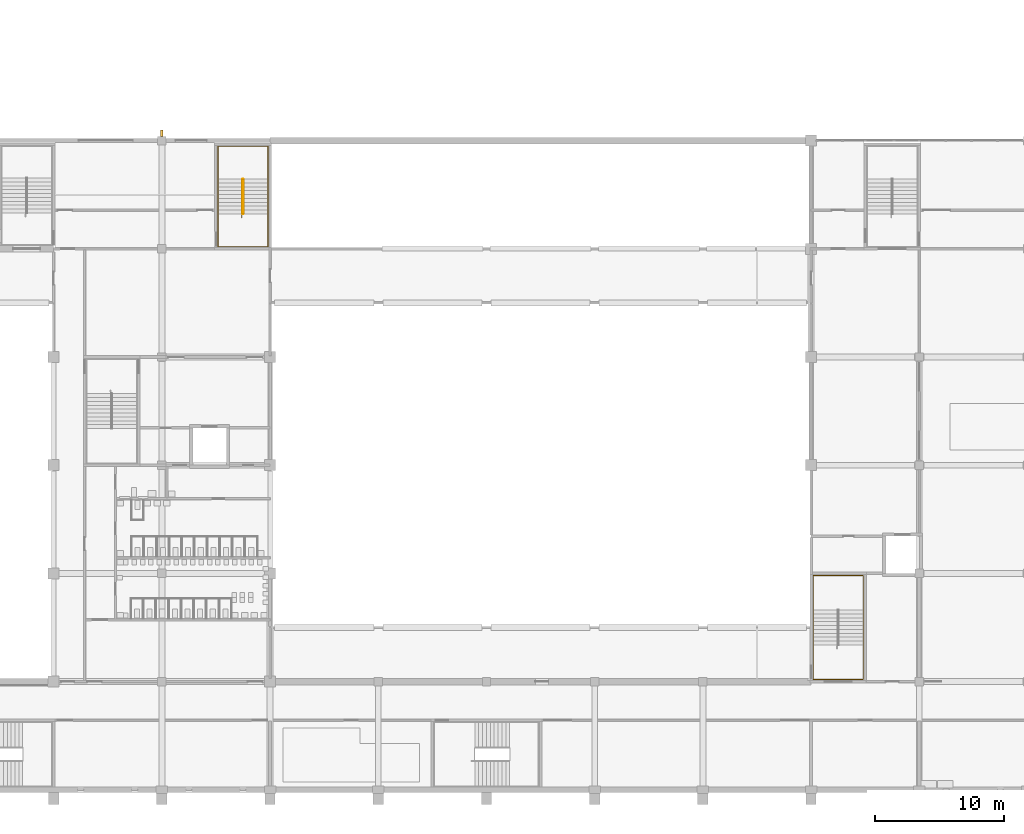
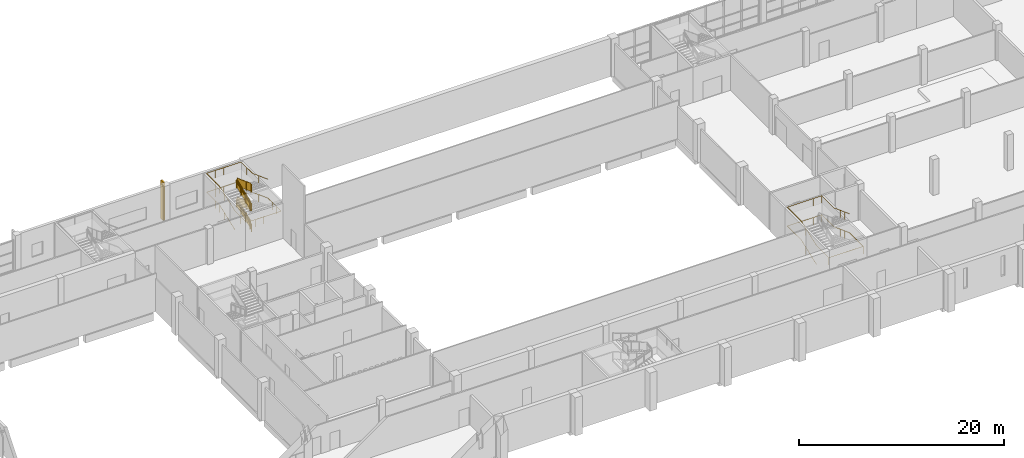
# One storey, part 54 of 64: 7 railings, 1 shading device.
"""IFC4 building model written with IfcOpenShell, lengths in metres."""

import ifcopenshell
import ifcopenshell.guid

model = None  # the IFC model being written
_history = None  # IfcOwnerHistory: only IFC2X3 demands one
_inside = {}  # id of a spatial element -> (the spatial element, [elements in it])
_under = {}  # id of a project, library or spatial element -> (it, [spatial elements below it])
_declared = {}  # id of a project -> (the project, [libraries it declares])
_typed = {}  # id of a type object -> (the type object, [elements of that type])
_made_of = {}  # id of a material, layer set ... -> (it, [elements and type objects made of it])


def new_model(schema):
    """Start an empty IFC model of exactly this schema.

    Asked for "IFC4X3", IfcOpenShell would pick the latest addendum, in which some entities
    have other attributes; the version numbers below select the first issue.
    IFC2X3 requires an IfcOwnerHistory on every rooted entity: one is made here for all.
    """
    global model, _history
    if schema == "IFC4X3":
        model = ifcopenshell.file(schema_version=(4, 3, 0, 0))
    else:
        model = ifcopenshell.file(schema=schema)
    _inside.clear()
    _under.clear()
    _declared.clear()
    _typed.clear()
    _made_of.clear()
    _history = None
    if model.schema == "IFC2X3":
        org = make("IfcOrganization", Name="unknown")
        user = make(
            "IfcPersonAndOrganization",
            ThePerson=make("IfcPerson", FamilyName="unknown"),
            TheOrganization=org,
        )
        app = make(
            "IfcApplication",
            ApplicationDeveloper=org,
            Version="unknown",
            ApplicationFullName="unknown",
            ApplicationIdentifier="unknown",
        )
        _history = make(
            "IfcOwnerHistory",
            OwningUser=user,
            OwningApplication=app,
            ChangeAction="ADDED",
            CreationDate=0,
        )
    return model


def make(cls, **values):
    """One entity of the class cls with the attributes given. An attribute that is None is left unset."""
    return model.create_entity(
        cls, **{name: value for name, value in values.items() if value is not None}
    )


def rooted(cls, **values):
    """An entity with a GlobalId (a new one), such as an element, a storey or a relation."""
    return make(cls, GlobalId=ifcopenshell.guid.new(), OwnerHistory=_history, **values)


def si_unit(unit_type, name, prefix=None):
    """IfcSIUnit, for example si_unit("LENGTHUNIT", "METRE", prefix="MILLI")."""
    return make("IfcSIUnit", UnitType=unit_type, Prefix=prefix, Name=name)


def assignment(units):
    """IfcUnitAssignment: the units of a project."""
    return None if units is None else make("IfcUnitAssignment", Units=units)


def point(xyz):
    """IfcCartesianPoint."""
    return None if xyz is None else make("IfcCartesianPoint", Coordinates=xyz)


def direction(xyz):
    """IfcDirection."""
    return None if xyz is None else make("IfcDirection", DirectionRatios=xyz)


def frame(location, z_axis=None, x_axis=None):
    """IfcAxis2Placement3D, a coordinate frame: its origin and axes. An axis left out is left unset."""
    return make(
        "IfcAxis2Placement3D",
        Location=point(location),
        Axis=direction(z_axis),
        RefDirection=direction(x_axis),
    )


def frame_2d(location, x_axis=None):
    """IfcAxis2Placement2D, a coordinate frame in the plane: its origin and x axis."""
    return make(
        "IfcAxis2Placement2D", Location=point(location), RefDirection=direction(x_axis)
    )


def origin():
    """The frame at (0, 0, 0) with its axes left unset."""
    return frame((0.0, 0.0, 0.0))


def origin_2d():
    """The frame at (0, 0) in the plane with its x axis left unset."""
    return frame_2d((0.0, 0.0))


def place(relative_to, where):
    """IfcLocalPlacement: puts the frame where relative to a parent placement (None: the world)."""
    return make(
        "IfcLocalPlacement", PlacementRelTo=relative_to, RelativePlacement=where
    )


def context(
    kind, dimensions, precision=None, world=None, true_north=None, identifier=None
):
    """IfcGeometricRepresentationContext, for example the 3D "Model" context."""
    return make(
        "IfcGeometricRepresentationContext",
        ContextIdentifier=identifier,
        ContextType=kind,
        CoordinateSpaceDimension=dimensions,
        Precision=precision,
        WorldCoordinateSystem=world,
        TrueNorth=true_north,
    )


def subcontext(parent, identifier, kind, view, scale=None):
    """IfcGeometricRepresentationSubContext, for example "Body" below "Model"."""
    return make(
        "IfcGeometricRepresentationSubContext",
        ContextIdentifier=identifier,
        ContextType=kind,
        ParentContext=parent,
        TargetScale=scale,
        TargetView=view,
    )


def project(units=None, contexts=None):
    """IfcProject with its units and contexts."""
    return rooted(
        "IfcProject",
        Name="project",
        RepresentationContexts=contexts,
        UnitsInContext=assignment(units),
    )


def spatial(cls, under=None, at=None, **own):
    """A site, building, storey or space (cls), placed at a placement, below another one or the project."""
    s = rooted(cls, ObjectPlacement=at, **own)
    if under is not None:
        _under.setdefault(under.id(), (under, []))[1].append(s)
    return s


def polyline(points):
    """IfcPolyline through the points."""
    return make("IfcPolyline", Points=[point(p) for p in points])


def profile(cls, at=None, kind="AREA", **sizes):
    """A parametric profile (cls). Its sizes go by their IFC names, for example OverallWidth=200.0."""
    return make(cls, ProfileType=kind, Position=at, **sizes)


def rectangle(**sizes):
    """IfcRectangleProfileDef."""
    return profile("IfcRectangleProfileDef", **sizes)


def circle(**sizes):
    """IfcCircleProfileDef."""
    return profile("IfcCircleProfileDef", **sizes)


def outline(outer, holes=None, kind="AREA"):
    """IfcArbitraryClosedProfileDef: a profile drawn as a closed curve; with holes, ...WithVoids."""
    if holes is None:
        return make("IfcArbitraryClosedProfileDef", ProfileType=kind, OuterCurve=outer)
    return make(
        "IfcArbitraryProfileDefWithVoids",
        ProfileType=kind,
        OuterCurve=outer,
        InnerCurves=holes,
    )


def extrude(swept, where, along, depth):
    """IfcExtrudedAreaSolid: the profile swept, set in the frame where, extruded along a direction by depth."""
    return make(
        "IfcExtrudedAreaSolid",
        SweptArea=swept,
        Position=where,
        ExtrudedDirection=direction(along),
        Depth=depth,
    )


def shape(context_of_items, identifier, shape_type, items):
    """IfcShapeRepresentation: the items that make up one representation, for example the "Body"."""
    return make(
        "IfcShapeRepresentation",
        ContextOfItems=context_of_items,
        RepresentationIdentifier=identifier,
        RepresentationType=shape_type,
        Items=items,
    )


def material(Name=None, Category=None):
    """IfcMaterial."""
    return make("IfcMaterial", Name=Name, Category=Category)


def material_profile(
    of_material, cross_section, Name=None, Category=None, Priority=None
):
    """IfcMaterialProfile: a cross section and its material."""
    return make(
        "IfcMaterialProfile",
        Name=Name,
        Material=of_material,
        Profile=cross_section,
        Priority=Priority,
        Category=Category,
    )


def profile_set(profiles, Name=None, composite=None):
    """IfcMaterialProfileSet."""
    return make(
        "IfcMaterialProfileSet",
        Name=Name,
        MaterialProfiles=profiles,
        CompositeProfile=composite,
    )


def made_of(thing, what):
    """Note that an element or type object is made of a material, layer set ...; save() writes the relation."""
    if what is not None:
        _made_of.setdefault(what.id(), (what, []))[1].append(thing)
    return thing


def type_object(cls, material=None, **own):
    """A type object (cls), such as IfcWallType, which elements share."""
    return made_of(rooted(cls, **own), material)


def element(
    cls,
    number,
    at=None,
    inside=None,
    cuts=None,
    type_object=None,
    material=None,
    context=None,
    identifier="Body",
    shape_type=None,
    held_by="IfcProductDefinitionShape",
    body=None,
    shapes=None,
    **own,
):
    """One element of the class cls, such as IfcWall. Its Tag is "e" and its number.

    at: its placement. inside: the storey or other place that contains it. cuts: it is an
    opening in that element (IfcRelVoidsElement). A single representation is given by context,
    identifier, shape_type and body (its items); several are given by shapes. held_by: the class
    of the entity that holds the representations. save() writes the other relations.
    """
    e = rooted(cls, Tag="e%d" % number, ObjectPlacement=at, **own)
    if body is not None:
        shapes = [shape(context, identifier, shape_type, body)]
    if shapes is not None:
        e.Representation = make(held_by, Representations=shapes)
    if inside is not None:
        _inside.setdefault(inside.id(), (inside, []))[1].append(e)
    if cuts is not None:
        rooted(
            "IfcRelVoidsElement", RelatingBuildingElement=cuts, RelatedOpeningElement=e
        )
    if type_object is not None:
        _typed.setdefault(type_object.id(), (type_object, []))[1].append(e)
    return made_of(e, material)


def aggregate(whole, parts):
    """IfcRelAggregates: a whole, such as a stair, and the parts it consists of."""
    return rooted("IfcRelAggregates", RelatingObject=whole, RelatedObjects=parts)


def save(model, path):
    """Write the relations noted so far, then the file.

    IfcRelAggregates (storeys below a building ...), IfcRelContainedInSpatialStructure (elements
    in a storey), IfcRelDefinesByType, IfcRelAssociatesMaterial and IfcRelDeclares: one each for
    every whole, place, type object, material and project.
    """
    for whole, parts in _under.values():
        aggregate(whole, parts)
    for where, things in _inside.values():
        rooted(
            "IfcRelContainedInSpatialStructure",
            RelatedElements=things,
            RelatingStructure=where,
        )
    for kind, things in _typed.values():
        rooted("IfcRelDefinesByType", RelatedObjects=things, RelatingType=kind)
    for what, things in _made_of.values():
        rooted("IfcRelAssociatesMaterial", RelatedObjects=things, RelatingMaterial=what)
    for by, libraries in _declared.values():
        rooted("IfcRelDeclares", RelatingContext=by, RelatedDefinitions=libraries)
    model.write(path)


model = new_model("IFC4")

# Units and contexts
model_context = context("Model", 3, precision=1e-05, world=origin(), true_north=direction((0.0, 1.0)))
body_context = subcontext(model_context, "Body", "Model", "MODEL_VIEW")
ifc_project = project(units=[si_unit("LENGTHUNIT", "METRE"), si_unit("AREAUNIT", "SQUARE_METRE"), si_unit("VOLUMEUNIT", "CUBIC_METRE"), si_unit("PLANEANGLEUNIT", "RADIAN"), si_unit("MASSUNIT", "GRAM", prefix="KILO")], contexts=[model_context])

# Site, building, storey
site_placement = place(None, origin())
site = spatial("IfcSite", under=ifc_project, at=site_placement, CompositionType="ELEMENT")
building_placement = place(site_placement, origin())
building = spatial("IfcBuilding", under=site, at=building_placement, Name="Rulbaag Community and Learning Centre", CompositionType="ELEMENT")
storey_placement = place(building_placement, frame((0.0, 0.0, 5.39990234375)))
storey = spatial("IfcBuildingStorey", under=building, at=storey_placement, Name="L01", CompositionType="ELEMENT", Elevation=5.39990234375)

# Shading device
ifc_material_1 = material(Name="Concrete M40", Category="concrete")
ifc_material_profile = material_profile(ifc_material_1, rectangle(XDim=0.199951171875, YDim=0.5, at=origin_2d()), Name="PC 200x500")
ifc_profile_set = profile_set([ifc_material_profile], Name="Concrete M40")
shading_device_type = type_object("IfcShadingDeviceType", Name="FIN-D", PredefinedType="JALOUSIE", material=ifc_profile_set)
shading_device_placement = place(storey_placement, frame((33.60009765625, 50.97509765625, -0.2998046875), z_axis=(0.0, 0.0, 1.0), x_axis=(1.0, 0.0, 0.0)))
element("IfcShadingDevice", 1, at=shading_device_placement, inside=storey, type_object=shading_device_type, Name="Precast fin", PredefinedType="JALOUSIE", context=body_context, shape_type="SweptSolid", body=[
    extrude(rectangle(XDim=0.199951171875, YDim=0.5, at=origin_2d()), origin(), (0.0, 0.0, 1.0), 4.5498046875),
])

# Railings
ifc_material_2 = material(Name="Galvanised mild steel", Category="steel")
railing_type_1 = type_object("IfcRailingType", Name="GR-1100 GUARD 1100", PredefinedType="GUARDRAIL", material=ifc_material_2)
railing_1_placement = place(storey_placement, frame((39.8798828125, 44.71240234375, 0.112548828125)))
element("IfcRailing", 2, at=railing_1_placement, inside=storey, type_object=railing_type_1, Name="Guard SH5 L01 G", PredefinedType="GUARDRAIL", context=body_context, shape_type="SweptSolid", body=[
    extrude(circle(Radius=0.02490234375, at=origin_2d()), frame((0.0, 0.0, 1.0751953125), z_axis=(0.0, 0.936343093598, 0.351086329941), x_axis=(-1.0, 0.0, 0.0)), (0.0, 0.0, 1.0), 2.8837890625),
    extrude(circle(Radius=0.02001953125, at=origin_2d()), origin(), (0.0, 0.0, 1.0), 1.050048828125),
    extrude(circle(Radius=0.02001953125, at=origin_2d()), frame((0.0, 0.900146484375, 0.33740234375)), (0.0, 0.0, 1.0), 1.050048828125),
    extrude(circle(Radius=0.02001953125, at=origin_2d()), frame((0.0, 1.800048828125, 0.675048828125)), (0.0, 0.0, 1.0), 1.050048828125),
    extrude(circle(Radius=0.02001953125, at=origin_2d()), frame((0.0, 2.7001953125, 1.012451171875)), (0.0, 0.0, 1.0), 1.050048828125),
    extrude(outline(polyline([(0.0, 0.0), (2.7001953125, 1.012451171875), (2.7001953125, 1.96240234375), (0.0, 0.949951171875), (0.0, 0.0)])), frame((-0.0048828125, 0.0, 0.10009765625), z_axis=(1.0, 0.0, 0.0), x_axis=(0.0, 1.0, 0.0)), (0.0, 0.0, 1.0), 0.010009765625),
])
railing_2_placement = place(storey_placement, frame((39.919921875, 47.41259765625, 1.237548828125)))
element("IfcRailing", 3, at=railing_2_placement, inside=storey, type_object=railing_type_1, Name="Guard SH5 L01 G2", PredefinedType="GUARDRAIL", context=body_context, shape_type="SweptSolid", body=[
    extrude(circle(Radius=0.02490234375, at=origin_2d()), frame((0.0, 0.0, 1.0751953125), z_axis=(0.0, -0.936343093598, 0.351086329941), x_axis=(1.0, 0.0, 0.0)), (0.0, 0.0, 1.0), 2.8837890625),
    extrude(circle(Radius=0.02001953125, at=origin_2d()), origin(), (0.0, 0.0, 1.0), 1.050048828125),
    extrude(circle(Radius=0.02001953125, at=origin_2d()), frame((0.0, -0.900146484375, 0.33740234375)), (0.0, 0.0, 1.0), 1.050048828125),
    extrude(circle(Radius=0.02001953125, at=origin_2d()), frame((0.0, -1.800048828125, 0.675048828125)), (0.0, 0.0, 1.0), 1.050048828125),
    extrude(circle(Radius=0.02001953125, at=origin_2d()), frame((0.0, -2.7001953125, 1.012451171875)), (0.0, 0.0, 1.0), 1.050048828125),
    extrude(outline(polyline([(0.0, 0.0), (2.7001953125, 1.012451171875), (2.7001953125, 1.96240234375), (0.0, 0.949951171875), (0.0, 0.0)])), frame((0.0048828125, 0.0, 0.10009765625), z_axis=(-1.0, 0.0, 0.0), x_axis=(0.0, -1.0, 0.0)), (0.0, 0.0, 1.0), 0.010009765625),
])
railing_3_placement = place(storey_placement, frame((39.8798828125, 44.71240234375, 2.362548828125)))
element("IfcRailing", 4, at=railing_3_placement, inside=storey, type_object=railing_type_1, Name="Guard SH5 L01 G3", PredefinedType="GUARDRAIL", context=body_context, shape_type="SweptSolid", body=[
    extrude(circle(Radius=0.02490234375, at=origin_2d()), frame((0.0, 0.0, 1.0751953125), z_axis=(0.0, 0.936343093598, 0.351086329941), x_axis=(-1.0, 0.0, 0.0)), (0.0, 0.0, 1.0), 2.8837890625),
    extrude(circle(Radius=0.02001953125, at=origin_2d()), origin(), (0.0, 0.0, 1.0), 1.050048828125),
    extrude(circle(Radius=0.02001953125, at=origin_2d()), frame((0.0, 0.900146484375, 0.33740234375)), (0.0, 0.0, 1.0), 1.050048828125),
    extrude(circle(Radius=0.02001953125, at=origin_2d()), frame((0.0, 1.800048828125, 0.675048828125)), (0.0, 0.0, 1.0), 1.050048828125),
    extrude(circle(Radius=0.02001953125, at=origin_2d()), frame((0.0, 2.7001953125, 1.012451171875)), (0.0, 0.0, 1.0), 1.050048828125),
    extrude(outline(polyline([(0.0, 0.0), (2.7001953125, 1.012451171875), (2.7001953125, 1.96240234375), (0.0, 0.949951171875), (0.0, 0.0)])), frame((-0.0048828125, 0.0, 0.10009765625), z_axis=(1.0, 0.0, 0.0), x_axis=(0.0, 1.0, 0.0)), (0.0, 0.0, 1.0), 0.010009765625),
])
railing_4_placement = place(storey_placement, frame((39.919921875, 47.41259765625, 3.487548828125)))
element("IfcRailing", 5, at=railing_4_placement, inside=storey, type_object=railing_type_1, Name="Guard SH5 L01 G4", PredefinedType="GUARDRAIL", context=body_context, shape_type="SweptSolid", body=[
    extrude(circle(Radius=0.02490234375, at=origin_2d()), frame((0.0, 0.0, 1.0751953125), z_axis=(0.0, -0.936343093598, 0.351086329941), x_axis=(1.0, 0.0, 0.0)), (0.0, 0.0, 1.0), 2.8837890625),
    extrude(circle(Radius=0.02001953125, at=origin_2d()), origin(), (0.0, 0.0, 1.0), 1.050048828125),
    extrude(circle(Radius=0.02001953125, at=origin_2d()), frame((0.0, -0.900146484375, 0.33740234375)), (0.0, 0.0, 1.0), 1.050048828125),
    extrude(circle(Radius=0.02001953125, at=origin_2d()), frame((0.0, -1.800048828125, 0.675048828125)), (0.0, 0.0, 1.0), 1.050048828125),
    extrude(circle(Radius=0.02001953125, at=origin_2d()), frame((0.0, -2.7001953125, 1.012451171875)), (0.0, 0.0, 1.0), 1.050048828125),
    extrude(outline(polyline([(0.0, 0.0), (2.7001953125, 1.012451171875), (2.7001953125, 1.96240234375), (0.0, 0.949951171875), (0.0, 0.0)])), frame((0.0048828125, 0.0, 0.10009765625), z_axis=(-1.0, 0.0, 0.0), x_axis=(0.0, -1.0, 0.0)), (0.0, 0.0, 1.0), 0.010009765625),
])
ifc_material_3 = material(Name="Stainless steel grade 316", Category="steel")
railing_type_2 = type_object("IfcRailingType", Name="HR-900 HANDRAIL 900", PredefinedType="HANDRAIL", material=ifc_material_3)
railing_5_placement = place(storey_placement, frame((84.159912109375, 10.949951171875, 0.0)))
element("IfcRailing", 6, at=railing_5_placement, inside=storey, type_object=railing_type_2, Name="Handrail SH2 L01 O", PredefinedType="HANDRAIL", context=body_context, shape_type="SweptSolid", body=[
    extrude(circle(Radius=0.024169921875, at=origin_2d()), frame((0.0, 0.0, 0.875732421875), z_axis=(0.0, 0.936297865471, 0.351206929196), x_axis=(-1.0, 0.0, 0.0)), (0.0, 0.0, 1.0), 0.320556640625),
    extrude(circle(Radius=0.024169921875, at=origin_2d()), frame((0.0, 0.300048828125, 0.98828125), z_axis=(0.0, 0.93633265699, 0.351114162993), x_axis=(-1.0, 0.0, 0.0)), (0.0, 0.0, 1.0), 2.883544921875),
    extrude(circle(Radius=0.024169921875, at=origin_2d()), frame((0.0, 3.0, 2.000732421875), z_axis=(0.0, 1.0, 0.0), x_axis=(-1.0, 0.0, 0.0)), (0.0, 0.0, 1.0), 2.68994140625),
    extrude(circle(Radius=0.024169921875, at=origin_2d()), frame((0.0, 5.68994140625, 2.000732421875), z_axis=(1.0, 0.0, 0.0), x_axis=(0.0, 1.0, 0.0)), (0.0, 0.0, 1.0), 3.880126953125),
    extrude(circle(Radius=0.024169921875, at=origin_2d()), frame((3.880126953125, 5.68994140625, 2.000732421875), z_axis=(0.0, -1.0, 0.0), x_axis=(1.0, 0.0, 0.0)), (0.0, 0.0, 1.0), 2.389892578125),
    extrude(circle(Radius=0.024169921875, at=origin_2d()), frame((3.880126953125, 3.300048828125, 2.000732421875), z_axis=(0.0, -0.936297865471, 0.351206929196), x_axis=(1.0, 0.0, 0.0)), (0.0, 0.0, 1.0), 0.320556640625),
    extrude(circle(Radius=0.024169921875, at=origin_2d()), frame((3.880126953125, 3.0, 2.11328125), z_axis=(0.0, -0.93633265699, 0.351114162993), x_axis=(1.0, 0.0, 0.0)), (0.0, 0.0, 1.0), 2.883544921875),
    extrude(circle(Radius=0.024169921875, at=origin_2d()), frame((3.880126953125, 0.300048828125, 3.125732421875), z_axis=(0.0, -1.0, 0.0), x_axis=(1.0, 0.0, 0.0)), (0.0, 0.0, 1.0), 2.68994140625),
    extrude(circle(Radius=0.024169921875, at=origin_2d()), frame((3.880126953125, -2.389892578125, 3.125732421875), z_axis=(-1.0, 0.0, 0.0), x_axis=(0.0, -1.0, 0.0)), (0.0, 0.0, 1.0), 3.880126953125),
    extrude(circle(Radius=0.024169921875, at=origin_2d()), frame((0.0, -2.389892578125, 3.125732421875), z_axis=(0.0, 1.0, 0.0), x_axis=(-1.0, 0.0, 0.0)), (0.0, 0.0, 1.0), 2.389892578125),
    extrude(circle(Radius=0.024169921875, at=origin_2d()), frame((0.0, 0.0, 3.125732421875), z_axis=(0.0, 0.936297865471, 0.351206929196), x_axis=(-1.0, 0.0, 0.0)), (0.0, 0.0, 1.0), 0.320556640625),
    extrude(circle(Radius=0.024169921875, at=origin_2d()), frame((0.0, 0.300048828125, 3.23828125), z_axis=(0.0, 0.93633265699, 0.351114162993), x_axis=(-1.0, 0.0, 0.0)), (0.0, 0.0, 1.0), 2.883544921875),
    extrude(circle(Radius=0.024169921875, at=origin_2d()), frame((0.0, 3.0, 4.250732421875), z_axis=(0.0, 1.0, 0.0), x_axis=(-1.0, 0.0, 0.0)), (0.0, 0.0, 1.0), 2.68994140625),
    extrude(circle(Radius=0.024169921875, at=origin_2d()), frame((0.0, 5.68994140625, 4.250732421875), z_axis=(1.0, 0.0, 0.0), x_axis=(0.0, 1.0, 0.0)), (0.0, 0.0, 1.0), 3.880126953125),
    extrude(circle(Radius=0.024169921875, at=origin_2d()), frame((3.880126953125, 5.68994140625, 4.250732421875), z_axis=(0.0, -1.0, 0.0), x_axis=(1.0, 0.0, 0.0)), (0.0, 0.0, 1.0), 2.389892578125),
    extrude(circle(Radius=0.024169921875, at=origin_2d()), frame((3.880126953125, 3.300048828125, 4.250732421875), z_axis=(0.0, -0.936297865471, 0.351206929196), x_axis=(1.0, 0.0, 0.0)), (0.0, 0.0, 1.0), 0.320556640625),
    extrude(circle(Radius=0.024169921875, at=origin_2d()), frame((3.880126953125, 3.0, 4.36328125), z_axis=(0.0, -0.93633265699, 0.351114162993), x_axis=(1.0, 0.0, 0.0)), (0.0, 0.0, 1.0), 2.883544921875),
    extrude(circle(Radius=0.008056640625, at=origin_2d()), origin(), (0.0, 0.0, 1.0), 0.8515625),
    extrude(circle(Radius=0.008056640625, at=origin_2d()), frame((0.0, 0.300048828125, 0.112548828125)), (0.0, 0.0, 1.0), 0.8515625),
    extrude(circle(Radius=0.008056640625, at=origin_2d()), frame((0.0, 1.199951171875, 0.449951171875)), (0.0, 0.0, 1.0), 0.8515625),
    extrude(circle(Radius=0.008056640625, at=origin_2d()), frame((0.0, 2.10009765625, 0.78759765625)), (0.0, 0.0, 1.0), 0.8515625),
    extrude(circle(Radius=0.008056640625, at=origin_2d()), frame((0.0, 3.0, 1.125)), (0.0, 0.0, 1.0), 0.8515625),
    extrude(circle(Radius=0.008056640625, at=origin_2d()), frame((0.0, 3.896728515625, 1.125)), (0.0, 0.0, 1.0), 0.8515625),
    extrude(circle(Radius=0.008056640625, at=origin_2d()), frame((0.0, 4.793212890625, 1.125)), (0.0, 0.0, 1.0), 0.8515625),
    extrude(circle(Radius=0.008056640625, at=origin_2d()), frame((0.0, 5.68994140625, 1.125)), (0.0, 0.0, 1.0), 0.8515625),
    extrude(circle(Radius=0.008056640625, at=origin_2d()), frame((0.969970703125, 5.68994140625, 1.125)), (0.0, 0.0, 1.0), 0.8515625),
    extrude(circle(Radius=0.008056640625, at=origin_2d()), frame((1.93994140625, 5.68994140625, 1.125)), (0.0, 0.0, 1.0), 0.8515625),
    extrude(circle(Radius=0.008056640625, at=origin_2d()), frame((2.91015625, 5.68994140625, 1.125)), (0.0, 0.0, 1.0), 0.8515625),
    extrude(circle(Radius=0.008056640625, at=origin_2d()), frame((3.880126953125, 5.68994140625, 1.125)), (0.0, 0.0, 1.0), 0.8515625),
    extrude(circle(Radius=0.008056640625, at=origin_2d()), frame((3.880126953125, 4.4951171875, 1.125)), (0.0, 0.0, 1.0), 0.8515625),
    extrude(circle(Radius=0.008056640625, at=origin_2d()), frame((3.880126953125, 3.300048828125, 1.125)), (0.0, 0.0, 1.0), 0.8515625),
    extrude(circle(Radius=0.008056640625, at=origin_2d()), frame((3.880126953125, 3.0, 1.237548828125)), (0.0, 0.0, 1.0), 0.8515625),
    extrude(circle(Radius=0.008056640625, at=origin_2d()), frame((3.880126953125, 2.10009765625, 1.574951171875)), (0.0, 0.0, 1.0), 0.8515625),
    extrude(circle(Radius=0.008056640625, at=origin_2d()), frame((3.880126953125, 1.199951171875, 1.91259765625)), (0.0, 0.0, 1.0), 0.8515625),
    extrude(circle(Radius=0.008056640625, at=origin_2d()), frame((3.880126953125, 0.300048828125, 2.25)), (0.0, 0.0, 1.0), 0.8515625),
    extrude(circle(Radius=0.008056640625, at=origin_2d()), frame((3.880126953125, -0.5966796875, 2.25)), (0.0, 0.0, 1.0), 0.8515625),
    extrude(circle(Radius=0.008056640625, at=origin_2d()), frame((3.880126953125, -1.4931640625, 2.25)), (0.0, 0.0, 1.0), 0.8515625),
    extrude(circle(Radius=0.008056640625, at=origin_2d()), frame((3.880126953125, -2.389892578125, 2.25)), (0.0, 0.0, 1.0), 0.8515625),
    extrude(circle(Radius=0.008056640625, at=origin_2d()), frame((2.91015625, -2.389892578125, 2.25)), (0.0, 0.0, 1.0), 0.8515625),
    extrude(circle(Radius=0.008056640625, at=origin_2d()), frame((1.93994140625, -2.389892578125, 2.25)), (0.0, 0.0, 1.0), 0.8515625),
    extrude(circle(Radius=0.008056640625, at=origin_2d()), frame((0.969970703125, -2.389892578125, 2.25)), (0.0, 0.0, 1.0), 0.8515625),
    extrude(circle(Radius=0.008056640625, at=origin_2d()), frame((0.0, -2.389892578125, 2.25)), (0.0, 0.0, 1.0), 0.8515625),
    extrude(circle(Radius=0.008056640625, at=origin_2d()), frame((0.0, -1.19482421875, 2.25)), (0.0, 0.0, 1.0), 0.8515625),
    extrude(circle(Radius=0.008056640625, at=origin_2d()), frame((0.0, 0.0, 2.25)), (0.0, 0.0, 1.0), 0.8515625),
    extrude(circle(Radius=0.008056640625, at=origin_2d()), frame((0.0, 0.300048828125, 2.362548828125)), (0.0, 0.0, 1.0), 0.8515625),
    extrude(circle(Radius=0.008056640625, at=origin_2d()), frame((0.0, 1.199951171875, 2.699951171875)), (0.0, 0.0, 1.0), 0.8515625),
    extrude(circle(Radius=0.008056640625, at=origin_2d()), frame((0.0, 2.10009765625, 3.03759765625)), (0.0, 0.0, 1.0), 0.8515625),
    extrude(circle(Radius=0.008056640625, at=origin_2d()), frame((0.0, 3.0, 3.375)), (0.0, 0.0, 1.0), 0.8515625),
    extrude(circle(Radius=0.008056640625, at=origin_2d()), frame((0.0, 3.896728515625, 3.375)), (0.0, 0.0, 1.0), 0.8515625),
    extrude(circle(Radius=0.008056640625, at=origin_2d()), frame((0.0, 4.793212890625, 3.375)), (0.0, 0.0, 1.0), 0.8515625),
    extrude(circle(Radius=0.008056640625, at=origin_2d()), frame((0.0, 5.68994140625, 3.375)), (0.0, 0.0, 1.0), 0.8515625),
    extrude(circle(Radius=0.008056640625, at=origin_2d()), frame((0.969970703125, 5.68994140625, 3.375)), (0.0, 0.0, 1.0), 0.8515625),
    extrude(circle(Radius=0.008056640625, at=origin_2d()), frame((1.93994140625, 5.68994140625, 3.375)), (0.0, 0.0, 1.0), 0.8515625),
    extrude(circle(Radius=0.008056640625, at=origin_2d()), frame((2.91015625, 5.68994140625, 3.375)), (0.0, 0.0, 1.0), 0.8515625),
    extrude(circle(Radius=0.008056640625, at=origin_2d()), frame((3.880126953125, 5.68994140625, 3.375)), (0.0, 0.0, 1.0), 0.8515625),
    extrude(circle(Radius=0.008056640625, at=origin_2d()), frame((3.880126953125, 4.4951171875, 3.375)), (0.0, 0.0, 1.0), 0.8515625),
    extrude(circle(Radius=0.008056640625, at=origin_2d()), frame((3.880126953125, 3.300048828125, 3.375)), (0.0, 0.0, 1.0), 0.8515625),
    extrude(circle(Radius=0.008056640625, at=origin_2d()), frame((3.880126953125, 3.0, 3.487548828125)), (0.0, 0.0, 1.0), 0.8515625),
    extrude(circle(Radius=0.008056640625, at=origin_2d()), frame((3.880126953125, 2.10009765625, 3.824951171875)), (0.0, 0.0, 1.0), 0.8515625),
    extrude(circle(Radius=0.008056640625, at=origin_2d()), frame((3.880126953125, 1.199951171875, 4.16259765625)), (0.0, 0.0, 1.0), 0.8515625),
    extrude(circle(Radius=0.008056640625, at=origin_2d()), frame((3.880126953125, 0.300048828125, 4.5)), (0.0, 0.0, 1.0), 0.8515625),
])
railing_6_placement = place(storey_placement, frame((37.9599609375, 44.41259765625, 0.0)))
element("IfcRailing", 7, at=railing_6_placement, inside=storey, type_object=railing_type_2, Name="Handrail SH5 L01 O", PredefinedType="HANDRAIL", context=body_context, shape_type="SweptSolid", body=[
    extrude(circle(Radius=0.024169921875, at=origin_2d()), frame((0.0, 0.0, 0.875732421875), z_axis=(0.0, 0.936203795034, 0.351457613608), x_axis=(-1.0, 0.0, 0.0)), (0.0, 0.0, 1.0), 0.3203125),
    extrude(circle(Radius=0.024169921875, at=origin_2d()), frame((0.0, 0.2998046875, 0.98828125), z_axis=(0.0, 0.936343093598, 0.351086329941), x_axis=(-1.0, 0.0, 0.0)), (0.0, 0.0, 1.0), 2.8837890625),
    extrude(circle(Radius=0.024169921875, at=origin_2d()), frame((0.0, 3.0, 2.000732421875), z_axis=(0.0, 1.0, 0.0), x_axis=(-1.0, 0.0, 0.0)), (0.0, 0.0, 1.0), 2.552490234375),
    extrude(circle(Radius=0.024169921875, at=origin_2d()), frame((0.0, 5.552490234375, 2.000732421875), z_axis=(1.0, 0.0, 0.0), x_axis=(0.0, 1.0, 0.0)), (0.0, 0.0, 1.0), 3.880126953125),
    extrude(circle(Radius=0.024169921875, at=origin_2d()), frame((3.880126953125, 5.552490234375, 2.000732421875), z_axis=(0.0, -1.0, 0.0), x_axis=(1.0, 0.0, 0.0)), (0.0, 0.0, 1.0), 2.252685546875),
    extrude(circle(Radius=0.024169921875, at=origin_2d()), frame((3.880126953125, 3.2998046875, 2.000732421875), z_axis=(0.0, -0.936203795034, 0.351457613608), x_axis=(1.0, 0.0, 0.0)), (0.0, 0.0, 1.0), 0.3203125),
    extrude(circle(Radius=0.024169921875, at=origin_2d()), frame((3.880126953125, 3.0, 2.11328125), z_axis=(0.0, -0.936343093598, 0.351086329941), x_axis=(1.0, 0.0, 0.0)), (0.0, 0.0, 1.0), 2.8837890625),
    extrude(circle(Radius=0.024169921875, at=origin_2d()), frame((3.880126953125, 0.2998046875, 3.125732421875), z_axis=(0.0, -1.0, 0.0), x_axis=(1.0, 0.0, 0.0)), (0.0, 0.0, 1.0), 2.552490234375),
    extrude(circle(Radius=0.024169921875, at=origin_2d()), frame((3.880126953125, -2.252685546875, 3.125732421875), z_axis=(-1.0, 0.0, 0.0), x_axis=(0.0, -1.0, 0.0)), (0.0, 0.0, 1.0), 3.880126953125),
    extrude(circle(Radius=0.024169921875, at=origin_2d()), frame((0.0, -2.252685546875, 3.125732421875), z_axis=(0.0, 1.0, 0.0), x_axis=(-1.0, 0.0, 0.0)), (0.0, 0.0, 1.0), 2.252685546875),
    extrude(circle(Radius=0.024169921875, at=origin_2d()), frame((0.0, 0.0, 3.125732421875), z_axis=(0.0, 0.936203795034, 0.351457613608), x_axis=(-1.0, 0.0, 0.0)), (0.0, 0.0, 1.0), 0.3203125),
    extrude(circle(Radius=0.024169921875, at=origin_2d()), frame((0.0, 0.2998046875, 3.23828125), z_axis=(0.0, 0.936343093598, 0.351086329941), x_axis=(-1.0, 0.0, 0.0)), (0.0, 0.0, 1.0), 2.8837890625),
    extrude(circle(Radius=0.024169921875, at=origin_2d()), frame((0.0, 3.0, 4.250732421875), z_axis=(0.0, 1.0, 0.0), x_axis=(-1.0, 0.0, 0.0)), (0.0, 0.0, 1.0), 2.552490234375),
    extrude(circle(Radius=0.024169921875, at=origin_2d()), frame((0.0, 5.552490234375, 4.250732421875), z_axis=(1.0, 0.0, 0.0), x_axis=(0.0, 1.0, 0.0)), (0.0, 0.0, 1.0), 3.880126953125),
    extrude(circle(Radius=0.024169921875, at=origin_2d()), frame((3.880126953125, 5.552490234375, 4.250732421875), z_axis=(0.0, -1.0, 0.0), x_axis=(1.0, 0.0, 0.0)), (0.0, 0.0, 1.0), 2.252685546875),
    extrude(circle(Radius=0.024169921875, at=origin_2d()), frame((3.880126953125, 3.2998046875, 4.250732421875), z_axis=(0.0, -0.936203795034, 0.351457613608), x_axis=(1.0, 0.0, 0.0)), (0.0, 0.0, 1.0), 0.3203125),
    extrude(circle(Radius=0.024169921875, at=origin_2d()), frame((3.880126953125, 3.0, 4.36328125), z_axis=(0.0, -0.936343093598, 0.351086329941), x_axis=(1.0, 0.0, 0.0)), (0.0, 0.0, 1.0), 2.8837890625),
    extrude(circle(Radius=0.008056640625, at=origin_2d()), origin(), (0.0, 0.0, 1.0), 0.8515625),
    extrude(circle(Radius=0.008056640625, at=origin_2d()), frame((0.0, 0.2998046875, 0.112548828125)), (0.0, 0.0, 1.0), 0.8515625),
    extrude(circle(Radius=0.008056640625, at=origin_2d()), frame((0.0, 1.199951171875, 0.449951171875)), (0.0, 0.0, 1.0), 0.8515625),
    extrude(circle(Radius=0.008056640625, at=origin_2d()), frame((0.0, 2.099853515625, 0.78759765625)), (0.0, 0.0, 1.0), 0.8515625),
    extrude(circle(Radius=0.008056640625, at=origin_2d()), frame((0.0, 3.0, 1.125)), (0.0, 0.0, 1.0), 0.8515625),
    extrude(circle(Radius=0.008056640625, at=origin_2d()), frame((0.0, 3.850830078125, 1.125)), (0.0, 0.0, 1.0), 0.8515625),
    extrude(circle(Radius=0.008056640625, at=origin_2d()), frame((0.0, 4.70166015625, 1.125)), (0.0, 0.0, 1.0), 0.8515625),
    extrude(circle(Radius=0.008056640625, at=origin_2d()), frame((0.0, 5.552490234375, 1.125)), (0.0, 0.0, 1.0), 0.8515625),
    extrude(circle(Radius=0.008056640625, at=origin_2d()), frame((0.969970703125, 5.552490234375, 1.125)), (0.0, 0.0, 1.0), 0.8515625),
    extrude(circle(Radius=0.008056640625, at=origin_2d()), frame((1.93994140625, 5.552490234375, 1.125)), (0.0, 0.0, 1.0), 0.8515625),
    extrude(circle(Radius=0.008056640625, at=origin_2d()), frame((2.91015625, 5.552490234375, 1.125)), (0.0, 0.0, 1.0), 0.8515625),
    extrude(circle(Radius=0.008056640625, at=origin_2d()), frame((3.880126953125, 5.552490234375, 1.125)), (0.0, 0.0, 1.0), 0.8515625),
    extrude(circle(Radius=0.008056640625, at=origin_2d()), frame((3.880126953125, 4.42626953125, 1.125)), (0.0, 0.0, 1.0), 0.8515625),
    extrude(circle(Radius=0.008056640625, at=origin_2d()), frame((3.880126953125, 3.2998046875, 1.125)), (0.0, 0.0, 1.0), 0.8515625),
    extrude(circle(Radius=0.008056640625, at=origin_2d()), frame((3.880126953125, 3.0, 1.237548828125)), (0.0, 0.0, 1.0), 0.8515625),
    extrude(circle(Radius=0.008056640625, at=origin_2d()), frame((3.880126953125, 2.099853515625, 1.574951171875)), (0.0, 0.0, 1.0), 0.8515625),
    extrude(circle(Radius=0.008056640625, at=origin_2d()), frame((3.880126953125, 1.199951171875, 1.91259765625)), (0.0, 0.0, 1.0), 0.8515625),
    extrude(circle(Radius=0.008056640625, at=origin_2d()), frame((3.880126953125, 0.2998046875, 2.25)), (0.0, 0.0, 1.0), 0.8515625),
    extrude(circle(Radius=0.008056640625, at=origin_2d()), frame((3.880126953125, -0.551025390625, 2.25)), (0.0, 0.0, 1.0), 0.8515625),
    extrude(circle(Radius=0.008056640625, at=origin_2d()), frame((3.880126953125, -1.40185546875, 2.25)), (0.0, 0.0, 1.0), 0.8515625),
    extrude(circle(Radius=0.008056640625, at=origin_2d()), frame((3.880126953125, -2.252685546875, 2.25)), (0.0, 0.0, 1.0), 0.8515625),
    extrude(circle(Radius=0.008056640625, at=origin_2d()), frame((2.91015625, -2.252685546875, 2.25)), (0.0, 0.0, 1.0), 0.8515625),
    extrude(circle(Radius=0.008056640625, at=origin_2d()), frame((1.93994140625, -2.252685546875, 2.25)), (0.0, 0.0, 1.0), 0.8515625),
    extrude(circle(Radius=0.008056640625, at=origin_2d()), frame((0.969970703125, -2.252685546875, 2.25)), (0.0, 0.0, 1.0), 0.8515625),
    extrude(circle(Radius=0.008056640625, at=origin_2d()), frame((0.0, -2.252685546875, 2.25)), (0.0, 0.0, 1.0), 0.8515625),
    extrude(circle(Radius=0.008056640625, at=origin_2d()), frame((0.0, -1.12646484375, 2.25)), (0.0, 0.0, 1.0), 0.8515625),
    extrude(circle(Radius=0.008056640625, at=origin_2d()), frame((0.0, 0.0, 2.25)), (0.0, 0.0, 1.0), 0.8515625),
    extrude(circle(Radius=0.008056640625, at=origin_2d()), frame((0.0, 0.2998046875, 2.362548828125)), (0.0, 0.0, 1.0), 0.8515625),
    extrude(circle(Radius=0.008056640625, at=origin_2d()), frame((0.0, 1.199951171875, 2.699951171875)), (0.0, 0.0, 1.0), 0.8515625),
    extrude(circle(Radius=0.008056640625, at=origin_2d()), frame((0.0, 2.099853515625, 3.03759765625)), (0.0, 0.0, 1.0), 0.8515625),
    extrude(circle(Radius=0.008056640625, at=origin_2d()), frame((0.0, 3.0, 3.375)), (0.0, 0.0, 1.0), 0.8515625),
    extrude(circle(Radius=0.008056640625, at=origin_2d()), frame((0.0, 3.850830078125, 3.375)), (0.0, 0.0, 1.0), 0.8515625),
    extrude(circle(Radius=0.008056640625, at=origin_2d()), frame((0.0, 4.70166015625, 3.375)), (0.0, 0.0, 1.0), 0.8515625),
    extrude(circle(Radius=0.008056640625, at=origin_2d()), frame((0.0, 5.552490234375, 3.375)), (0.0, 0.0, 1.0), 0.8515625),
    extrude(circle(Radius=0.008056640625, at=origin_2d()), frame((0.969970703125, 5.552490234375, 3.375)), (0.0, 0.0, 1.0), 0.8515625),
    extrude(circle(Radius=0.008056640625, at=origin_2d()), frame((1.93994140625, 5.552490234375, 3.375)), (0.0, 0.0, 1.0), 0.8515625),
    extrude(circle(Radius=0.008056640625, at=origin_2d()), frame((2.91015625, 5.552490234375, 3.375)), (0.0, 0.0, 1.0), 0.8515625),
    extrude(circle(Radius=0.008056640625, at=origin_2d()), frame((3.880126953125, 5.552490234375, 3.375)), (0.0, 0.0, 1.0), 0.8515625),
    extrude(circle(Radius=0.008056640625, at=origin_2d()), frame((3.880126953125, 4.42626953125, 3.375)), (0.0, 0.0, 1.0), 0.8515625),
    extrude(circle(Radius=0.008056640625, at=origin_2d()), frame((3.880126953125, 3.2998046875, 3.375)), (0.0, 0.0, 1.0), 0.8515625),
    extrude(circle(Radius=0.008056640625, at=origin_2d()), frame((3.880126953125, 3.0, 3.487548828125)), (0.0, 0.0, 1.0), 0.8515625),
    extrude(circle(Radius=0.008056640625, at=origin_2d()), frame((3.880126953125, 2.099853515625, 3.824951171875)), (0.0, 0.0, 1.0), 0.8515625),
    extrude(circle(Radius=0.008056640625, at=origin_2d()), frame((3.880126953125, 1.199951171875, 4.16259765625)), (0.0, 0.0, 1.0), 0.8515625),
    extrude(circle(Radius=0.008056640625, at=origin_2d()), frame((3.880126953125, 0.2998046875, 4.5)), (0.0, 0.0, 1.0), 0.8515625),
])
railing_7_placement = place(storey_placement, frame((39.81005859375, 44.41259765625, 0.0)))
element("IfcRailing", 8, at=railing_7_placement, inside=storey, type_object=railing_type_2, Name="Handrail SH5 L01 I", PredefinedType="HANDRAIL", context=body_context, shape_type="SweptSolid", body=[
    extrude(circle(Radius=0.024169921875, at=origin_2d()), frame((0.0, 0.0, 0.875732421875), z_axis=(0.0, 0.936203795034, 0.351457613608), x_axis=(-1.0, 0.0, 0.0)), (0.0, 0.0, 1.0), 0.3203125),
    extrude(circle(Radius=0.024169921875, at=origin_2d()), frame((0.0, 0.2998046875, 0.98828125), z_axis=(0.0, 0.936343093598, 0.351086329941), x_axis=(-1.0, 0.0, 0.0)), (0.0, 0.0, 1.0), 2.8837890625),
    extrude(circle(Radius=0.024169921875, at=origin_2d()), frame((0.0, 3.0, 2.000732421875), z_axis=(0.847804368873, 0.0, 0.530309109973), x_axis=(0.0, 1.0, 0.0)), (0.0, 0.0, 1.0), 0.212158203125),
    extrude(circle(Radius=0.024169921875, at=origin_2d()), frame((0.179931640625, 3.0, 2.11328125), z_axis=(0.0, -0.936343093598, 0.351086329941), x_axis=(1.0, 0.0, 0.0)), (0.0, 0.0, 1.0), 2.8837890625),
    extrude(circle(Radius=0.024169921875, at=origin_2d()), frame((0.179931640625, 0.2998046875, 3.125732421875), z_axis=(-0.847804368873, 0.0, 0.530309109973), x_axis=(0.0, -1.0, 0.0)), (0.0, 0.0, 1.0), 0.212158203125),
    extrude(circle(Radius=0.024169921875, at=origin_2d()), frame((0.0, 0.2998046875, 3.23828125), z_axis=(0.0, 0.936343093598, 0.351086329941), x_axis=(-1.0, 0.0, 0.0)), (0.0, 0.0, 1.0), 2.8837890625),
    extrude(circle(Radius=0.024169921875, at=origin_2d()), frame((0.0, 3.0, 4.250732421875), z_axis=(0.847804368873, 0.0, 0.530309109973), x_axis=(0.0, 1.0, 0.0)), (0.0, 0.0, 1.0), 0.212158203125),
    extrude(circle(Radius=0.024169921875, at=origin_2d()), frame((0.179931640625, 3.0, 4.36328125), z_axis=(0.0, -0.936343093598, 0.351086329941), x_axis=(1.0, 0.0, 0.0)), (0.0, 0.0, 1.0), 2.8837890625),
    extrude(circle(Radius=0.008056640625, at=origin_2d()), origin(), (0.0, 0.0, 1.0), 0.8515625),
    extrude(circle(Radius=0.008056640625, at=origin_2d()), frame((0.0, 0.2998046875, 0.112548828125)), (0.0, 0.0, 1.0), 0.8515625),
    extrude(circle(Radius=0.008056640625, at=origin_2d()), frame((0.0, 1.199951171875, 0.449951171875)), (0.0, 0.0, 1.0), 0.8515625),
    extrude(circle(Radius=0.008056640625, at=origin_2d()), frame((0.0, 2.099853515625, 0.78759765625)), (0.0, 0.0, 1.0), 0.8515625),
    extrude(circle(Radius=0.008056640625, at=origin_2d()), frame((0.0, 3.0, 1.125)), (0.0, 0.0, 1.0), 0.8515625),
    extrude(circle(Radius=0.008056640625, at=origin_2d()), frame((0.179931640625, 3.0, 1.237548828125)), (0.0, 0.0, 1.0), 0.8515625),
    extrude(circle(Radius=0.008056640625, at=origin_2d()), frame((0.179931640625, 2.099853515625, 1.574951171875)), (0.0, 0.0, 1.0), 0.8515625),
    extrude(circle(Radius=0.008056640625, at=origin_2d()), frame((0.179931640625, 1.199951171875, 1.91259765625)), (0.0, 0.0, 1.0), 0.8515625),
    extrude(circle(Radius=0.008056640625, at=origin_2d()), frame((0.179931640625, 0.2998046875, 2.25)), (0.0, 0.0, 1.0), 0.8515625),
    extrude(circle(Radius=0.008056640625, at=origin_2d()), frame((0.0, 0.2998046875, 2.362548828125)), (0.0, 0.0, 1.0), 0.8515625),
    extrude(circle(Radius=0.008056640625, at=origin_2d()), frame((0.0, 1.199951171875, 2.699951171875)), (0.0, 0.0, 1.0), 0.8515625),
    extrude(circle(Radius=0.008056640625, at=origin_2d()), frame((0.0, 2.099853515625, 3.03759765625)), (0.0, 0.0, 1.0), 0.8515625),
    extrude(circle(Radius=0.008056640625, at=origin_2d()), frame((0.0, 3.0, 3.375)), (0.0, 0.0, 1.0), 0.8515625),
    extrude(circle(Radius=0.008056640625, at=origin_2d()), frame((0.179931640625, 3.0, 3.487548828125)), (0.0, 0.0, 1.0), 0.8515625),
    extrude(circle(Radius=0.008056640625, at=origin_2d()), frame((0.179931640625, 2.099853515625, 3.824951171875)), (0.0, 0.0, 1.0), 0.8515625),
    extrude(circle(Radius=0.008056640625, at=origin_2d()), frame((0.179931640625, 1.199951171875, 4.16259765625)), (0.0, 0.0, 1.0), 0.8515625),
    extrude(circle(Radius=0.008056640625, at=origin_2d()), frame((0.179931640625, 0.2998046875, 4.5)), (0.0, 0.0, 1.0), 0.8515625),
])

save(model, "model.ifc")
